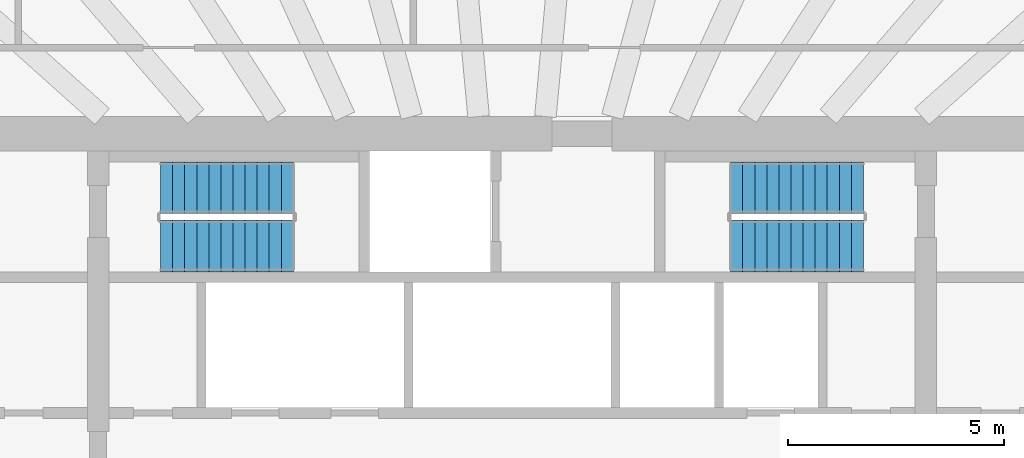
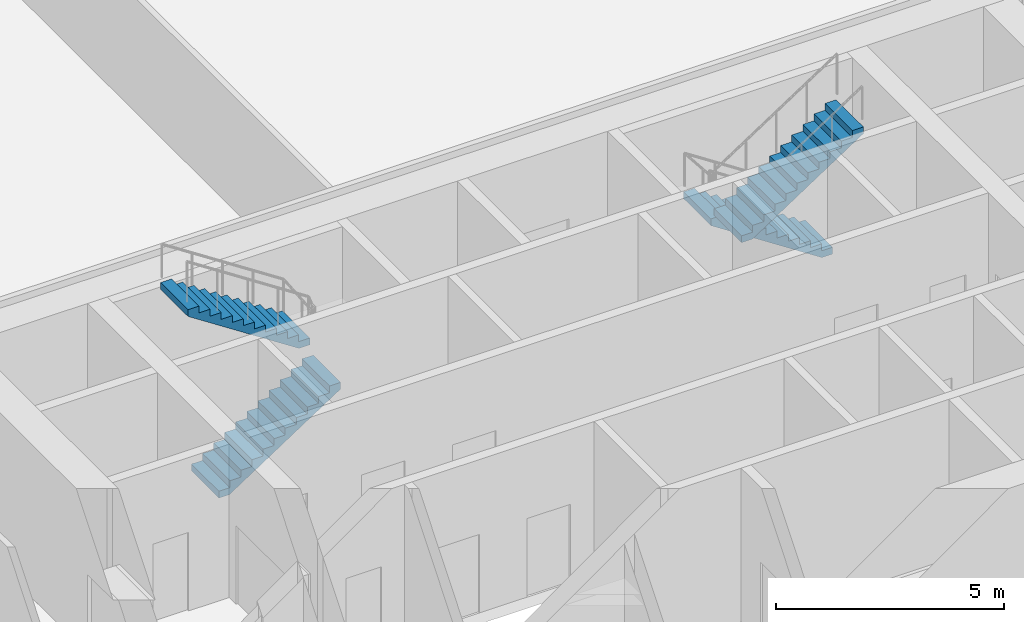
# One storey, part 8 of 12: 4 stair flights, 2 elements without a shape of their own.
"""IFC4 building model written with IfcOpenShell, lengths in metres."""

from ifc_helpers import new_model, si_unit, direction, frame, origin, place, context, subcontext, project, spatial, polyline, outline, extrude, material, layer, layer_set, type_object, element, aggregate, save


model = new_model("IFC4")

# Units and contexts
model_context = context("Model", 3, precision=1e-05, world=origin(), true_north=direction((0.0, 1.0)))
body_context = subcontext(model_context, "Body", "Model", "MODEL_VIEW")
ifc_project = project(units=[si_unit("LENGTHUNIT", "METRE"), si_unit("AREAUNIT", "SQUARE_METRE"), si_unit("VOLUMEUNIT", "CUBIC_METRE"), si_unit("PLANEANGLEUNIT", "RADIAN"), si_unit("MASSUNIT", "GRAM", prefix="KILO")], contexts=[model_context])

# Site, building, storey
site_placement = place(None, origin())
site = spatial("IfcSite", under=ifc_project, at=site_placement, CompositionType="ELEMENT")
building_placement = place(site_placement, origin())
building = spatial("IfcBuilding", under=site, at=building_placement, Name="Frailejon Research Tower", CompositionType="ELEMENT")
storey_placement = place(building_placement, frame((0.0, 0.0, 130.800048828125)))
storey = spatial("IfcBuildingStorey", under=building, at=storey_placement, Name="L28", CompositionType="ELEMENT", Elevation=130.800048828125)

# Stair, stair flights
ifc_material_1 = material(Name="Concrete C50/60", Category="concrete")
stair_type = type_object("IfcStairType", Name="Exit stair 24 risers", PredefinedType="HALF_TURN_STAIR", material=ifc_material_1)
stair_1_placement = place(storey_placement, origin())
stair_1 = element("IfcStair", 1, at=stair_1_placement, inside=storey, type_object=stair_type, Name="L28 Exit stair ST1", PredefinedType="HALF_TURN_STAIR")
ifc_material_2 = material(Name="Concrete C50/60", Category="concrete")
ifc_layer = layer(ifc_material_2, 0.14990234375)
ifc_layer_set = layer_set([ifc_layer], Name="Stair flight 12 risers")
stair_flight_type = type_object("IfcStairFlightType", Name="Stair flight 12 risers", PredefinedType="STRAIGHT", material=ifc_layer_set)
stair_flight_1_placement = place(storey_placement, frame((-8.14990234375, 5.5, 0.0), z_axis=(0.0, 0.0, 1.0), x_axis=(1.0, 0.0, 0.0)))
stair_flight_1 = element("IfcStairFlight", 2, at=stair_flight_1_placement, type_object=stair_flight_type, Name="ST1 flight 1", NumberOfRisers=12, NumberOfTreads=11, PredefinedType="STRAIGHT", RiserHeight=0.183333333, TreadLength=0.28, context=body_context, shape_type="SweptSolid", body=[
    extrude(outline(polyline([(0.0, 0.0), (0.0, 0.183349609375), (0.280029296875, 0.183349609375), (0.280029296875, 0.36669921875), (0.56005859375, 0.36669921875), (0.56005859375, 0.550048828125), (0.840087890625, 0.550048828125), (0.840087890625, 0.7333984375), (1.1201171875, 0.7333984375), (1.1201171875, 0.916748046875), (1.39990234375, 0.916748046875), (1.39990234375, 1.10009765625), (1.679931640625, 1.10009765625), (1.679931640625, 1.283447265625), (1.9599609375, 1.283447265625), (1.9599609375, 1.466552734375), (2.239990234375, 1.466552734375), (2.239990234375, 1.64990234375), (2.52001953125, 1.64990234375), (2.52001953125, 1.833251953125), (2.800048828125, 1.833251953125), (2.800048828125, 2.0166015625), (3.080078125, 2.0166015625), (3.080078125, 2.199951171875), (3.080078125, 1.83740234375), (0.273681640625, 0.0), (0.0, 0.0)])), frame((0.0, 0.60009765625, 0.0), z_axis=(0.0, -1.0, 0.0), x_axis=(1.0, 0.0, 0.0)), (0.0, 0.0, 1.0), 1.199951171875),
])
stair_flight_2_placement = place(storey_placement, frame((-5.070068359375, 6.85009765625, 2.199951171875), z_axis=(0.0, 0.0, 1.0), x_axis=(-1.0, 0.0, 0.0)))
stair_flight_2 = element("IfcStairFlight", 3, at=stair_flight_2_placement, type_object=stair_flight_type, Name="ST1 flight 2", NumberOfRisers=12, NumberOfTreads=11, PredefinedType="STRAIGHT", RiserHeight=0.183333333, TreadLength=0.28, context=body_context, shape_type="SweptSolid", body=[
    extrude(outline(polyline([(0.0, 0.0), (0.0, 0.183349609375), (0.280029296875, 0.183349609375), (0.280029296875, 0.36669921875), (0.56005859375, 0.36669921875), (0.56005859375, 0.550048828125), (0.840087890625, 0.550048828125), (0.840087890625, 0.7333984375), (1.1201171875, 0.7333984375), (1.1201171875, 0.916748046875), (1.39990234375, 0.916748046875), (1.39990234375, 1.10009765625), (1.679931640625, 1.10009765625), (1.679931640625, 1.283447265625), (1.9599609375, 1.283447265625), (1.9599609375, 1.466552734375), (2.239990234375, 1.466552734375), (2.239990234375, 1.64990234375), (2.52001953125, 1.64990234375), (2.52001953125, 1.833251953125), (2.800048828125, 1.833251953125), (2.800048828125, 2.0166015625), (3.080078125, 2.0166015625), (3.080078125, 2.199951171875), (3.080078125, 1.83740234375), (0.273681640625, 0.0), (0.0, 0.0)])), frame((0.0, 0.60009765625, 0.0), z_axis=(0.0, -1.0, 0.0), x_axis=(1.0, 0.0, 0.0)), (0.0, 0.0, 1.0), 1.199951171875),
])
aggregate(stair_1, [stair_flight_1, stair_flight_2])

stair_2_placement = place(storey_placement, origin())
stair_2 = element("IfcStair", 4, at=stair_2_placement, inside=storey, type_object=stair_type, Name="L28 Exit stair ST3", PredefinedType="HALF_TURN_STAIR")
stair_flight_3_placement = place(storey_placement, frame((8.14990234375, 6.85009765625, 0.0), z_axis=(0.0, 0.0, 1.0), x_axis=(-1.0, 0.0, 0.0)))
stair_flight_3 = element("IfcStairFlight", 5, at=stair_flight_3_placement, type_object=stair_flight_type, Name="ST3 flight 1", NumberOfRisers=12, NumberOfTreads=11, PredefinedType="STRAIGHT", RiserHeight=0.183333333, TreadLength=0.28, context=body_context, shape_type="SweptSolid", body=[
    extrude(outline(polyline([(0.0, 0.0), (0.0, 0.183349609375), (0.280029296875, 0.183349609375), (0.280029296875, 0.36669921875), (0.56005859375, 0.36669921875), (0.56005859375, 0.550048828125), (0.840087890625, 0.550048828125), (0.840087890625, 0.7333984375), (1.1201171875, 0.7333984375), (1.1201171875, 0.916748046875), (1.39990234375, 0.916748046875), (1.39990234375, 1.10009765625), (1.679931640625, 1.10009765625), (1.679931640625, 1.283447265625), (1.9599609375, 1.283447265625), (1.9599609375, 1.466552734375), (2.239990234375, 1.466552734375), (2.239990234375, 1.64990234375), (2.52001953125, 1.64990234375), (2.52001953125, 1.833251953125), (2.800048828125, 1.833251953125), (2.800048828125, 2.0166015625), (3.080078125, 2.0166015625), (3.080078125, 2.199951171875), (3.080078125, 1.83740234375), (0.273681640625, 0.0), (0.0, 0.0)])), frame((0.0, 0.60009765625, 0.0), z_axis=(0.0, -1.0, 0.0), x_axis=(1.0, 0.0, 0.0)), (0.0, 0.0, 1.0), 1.199951171875),
])
stair_flight_4_placement = place(storey_placement, frame((5.070068359375, 5.5, 2.199951171875), z_axis=(0.0, 0.0, 1.0), x_axis=(1.0, 0.0, 0.0)))
stair_flight_4 = element("IfcStairFlight", 6, at=stair_flight_4_placement, type_object=stair_flight_type, Name="ST3 flight 2", NumberOfRisers=12, NumberOfTreads=11, PredefinedType="STRAIGHT", RiserHeight=0.183333333, TreadLength=0.28, context=body_context, shape_type="SweptSolid", body=[
    extrude(outline(polyline([(0.0, 0.0), (0.0, 0.183349609375), (0.280029296875, 0.183349609375), (0.280029296875, 0.36669921875), (0.56005859375, 0.36669921875), (0.56005859375, 0.550048828125), (0.840087890625, 0.550048828125), (0.840087890625, 0.7333984375), (1.1201171875, 0.7333984375), (1.1201171875, 0.916748046875), (1.39990234375, 0.916748046875), (1.39990234375, 1.10009765625), (1.679931640625, 1.10009765625), (1.679931640625, 1.283447265625), (1.9599609375, 1.283447265625), (1.9599609375, 1.466552734375), (2.239990234375, 1.466552734375), (2.239990234375, 1.64990234375), (2.52001953125, 1.64990234375), (2.52001953125, 1.833251953125), (2.800048828125, 1.833251953125), (2.800048828125, 2.0166015625), (3.080078125, 2.0166015625), (3.080078125, 2.199951171875), (3.080078125, 1.83740234375), (0.273681640625, 0.0), (0.0, 0.0)])), frame((0.0, 0.60009765625, 0.0), z_axis=(0.0, -1.0, 0.0), x_axis=(1.0, 0.0, 0.0)), (0.0, 0.0, 1.0), 1.199951171875),
])
aggregate(stair_2, [stair_flight_3, stair_flight_4])

save(model, "model.ifc")
